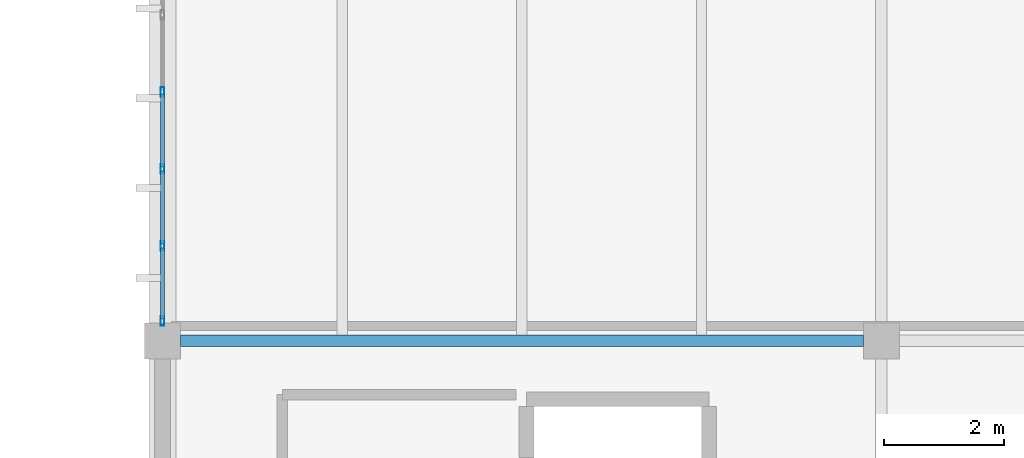
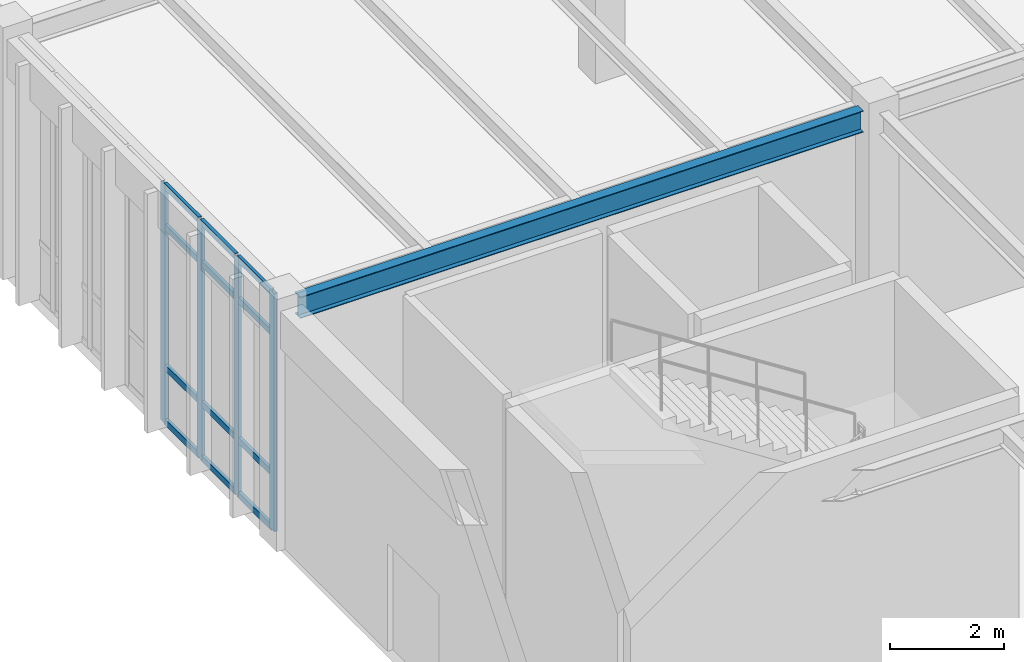
# One storey, part 105 of 188: 16 members, 1 beam, 1 element without a shape of its own.
"""IFC4 building model written with IfcOpenShell, lengths in metres."""

from ifc_helpers import new_model, si_unit, direction, frame, origin, origin_2d, place, context, subcontext, project, spatial, hollow_rectangle, i_section, extrude, material, layer, layer_set, material_profile, profile_set, type_object, element, aggregate, save


model = new_model("IFC4")

# Units and contexts
model_context = context("Model", 3, precision=1e-05, world=origin(), true_north=direction((0.0, 1.0)))
body_context = subcontext(model_context, "Body", "Model", "MODEL_VIEW")
ifc_project = project(units=[si_unit("LENGTHUNIT", "METRE"), si_unit("AREAUNIT", "SQUARE_METRE"), si_unit("VOLUMEUNIT", "CUBIC_METRE"), si_unit("PLANEANGLEUNIT", "RADIAN"), si_unit("MASSUNIT", "GRAM", prefix="KILO")], contexts=[model_context])

# Site, building, storey
site_placement = place(None, origin())
site = spatial("IfcSite", under=ifc_project, at=site_placement, CompositionType="ELEMENT")
building_placement = place(site_placement, origin())
building = spatial("IfcBuilding", under=site, at=building_placement, Name="Pandanus Reach Market Hall", CompositionType="ELEMENT")
storey_placement = place(building_placement, origin())
storey = spatial("IfcBuildingStorey", under=building, at=storey_placement, Name="L00", CompositionType="ELEMENT", Elevation=0.0)

# Beam
ifc_material_1 = material(Name="Steel Grade 350 (350 MPa)", Category="steel")
ifc_material_profile_1 = material_profile(ifc_material_1, i_section(OverallWidth=0.19091796875, OverallDepth=0.4599609375, WebThickness=0.010009765625, FlangeThickness=0.01611328125, at=origin_2d()), Name="460UB82.1", Category="LoadBearing")
ifc_profile_set_1 = profile_set([ifc_material_profile_1], Name="Steel Grade 350 (350 MPa)")
beam_type = type_object("IfcBeamType", Name="BM-UB460H-I", PredefinedType="BEAM", material=ifc_profile_set_1)
beam_placement = place(storey_placement, frame((144.298095703125, 57.60009765625, 4.89453125), z_axis=(1.0, 0.0, 0.0), x_axis=(0.0, 1.0, 0.0)))
element("IfcBeam", 1, at=beam_placement, inside=storey, type_object=beam_type, Name="Framing beam BM-UB460H-I L00.173", PredefinedType="BEAM", context=body_context, shape_type="SweptSolid", body=[
    extrude(i_section(OverallWidth=0.19091796875, OverallDepth=0.4599609375, WebThickness=0.010009765625, FlangeThickness=0.01611328125, at=origin_2d()), origin(), (0.0, 0.0, 1.0), 11.40380859375),
])

# Curtain wall, members
ifc_material_2 = material(Name="Bronze anodised aluminium and low-E glass", Category="aluminium")
ifc_layer = layer(ifc_material_2, 0.159912109375, Name="CW-26")
ifc_layer_set = layer_set([ifc_layer], Name="Bronze anodised aluminium and low-E glass")
curtain_wall_type = type_object("IfcCurtainWallType", Name="CW-26", PredefinedType="NOTDEFINED", material=ifc_layer_set)
curtain_wall_placement = place(storey_placement, origin())
curtain_wall = element("IfcCurtainWall", 2, at=curtain_wall_placement, inside=storey, type_object=curtain_wall_type, Name="Glazed curtain wall CW-26 CW-0079", PredefinedType="NOTDEFINED")
ifc_material_3 = material(Name="Bronze anodised aluminium", Category="aluminium")
ifc_material_profile_2 = material_profile(ifc_material_3, hollow_rectangle(XDim=0.06494140625, YDim=0.159912109375, WallThickness=0.00390625, at=origin_2d()), Name="ALU65x160", Category="LoadBearing")
ifc_profile_set_2 = profile_set([ifc_material_profile_2], Name="Bronze anodised aluminium")
member_type_1 = type_object("IfcMemberType", Name="CW-M1", PredefinedType="MULLION", material=ifc_profile_set_2)
member_1_placement = place(storey_placement, frame((144.0, 57.9326171875, 0.0), z_axis=(0.0, 0.0, 1.0), x_axis=(-1.0, 0.0, 0.0)))
member_1 = element("IfcMember", 3, at=member_1_placement, type_object=member_type_1, Name="CW-26 mullion 1", PredefinedType="MULLION", context=body_context, shape_type="SweptSolid", body=[
    extrude(hollow_rectangle(XDim=0.06494140625, YDim=0.159912109375, WallThickness=0.00390625, at=origin_2d()), origin(), (0.0, 0.0, 1.0), 5.10009765625),
])
member_2_placement = place(storey_placement, frame((144.0, 59.185791015625, 0.0), z_axis=(0.0, 0.0, 1.0), x_axis=(-1.0, 0.0, 0.0)))
member_2 = element("IfcMember", 4, at=member_2_placement, type_object=member_type_1, Name="CW-26 mullion 2", PredefinedType="MULLION", context=body_context, shape_type="SweptSolid", body=[
    extrude(hollow_rectangle(XDim=0.06494140625, YDim=0.159912109375, WallThickness=0.00390625, at=origin_2d()), origin(), (0.0, 0.0, 1.0), 5.10009765625),
])
member_3_placement = place(storey_placement, frame((144.0, 60.471435546875, 0.0), z_axis=(0.0, 0.0, 1.0), x_axis=(-1.0, 0.0, 0.0)))
member_3 = element("IfcMember", 5, at=member_3_placement, type_object=member_type_1, Name="CW-26 mullion 3", PredefinedType="MULLION", context=body_context, shape_type="SweptSolid", body=[
    extrude(hollow_rectangle(XDim=0.06494140625, YDim=0.159912109375, WallThickness=0.00390625, at=origin_2d()), origin(), (0.0, 0.0, 1.0), 5.10009765625),
])
member_4_placement = place(storey_placement, frame((144.0, 61.757080078125, 0.0), z_axis=(0.0, 0.0, 1.0), x_axis=(-1.0, 0.0, 0.0)))
member_4 = element("IfcMember", 6, at=member_4_placement, type_object=member_type_1, Name="CW-26 mullion 4", PredefinedType="MULLION", context=body_context, shape_type="SweptSolid", body=[
    extrude(hollow_rectangle(XDim=0.06494140625, YDim=0.159912109375, WallThickness=0.00390625, at=origin_2d()), origin(), (0.0, 0.0, 1.0), 5.10009765625),
])
ifc_material_profile_3 = material_profile(ifc_material_3, hollow_rectangle(XDim=0.06494140625, YDim=0.1298828125, WallThickness=0.00390625, at=origin_2d()), Name="ALU65x130", Category="LoadBearing")
ifc_profile_set_3 = profile_set([ifc_material_profile_3], Name="Bronze anodised aluminium")
member_type_2 = type_object("IfcMemberType", Name="CW-T1", PredefinedType="USERDEFINED", material=ifc_profile_set_3)
member_5_placement = place(storey_placement, frame((144.0, 57.965087890625, 0.032470703125), z_axis=(0.0, 1.0, 0.0), x_axis=(-1.0, 0.0, 0.0)))
member_5 = element("IfcMember", 7, at=member_5_placement, type_object=member_type_2, Name="CW-26 transom 1.1", ObjectType="TRANSOM", PredefinedType="USERDEFINED", context=body_context, shape_type="SweptSolid", body=[
    extrude(hollow_rectangle(XDim=0.06494140625, YDim=0.1298828125, WallThickness=0.00390625, at=origin_2d()), origin(), (0.0, 0.0, 1.0), 1.188232421875),
])
member_6_placement = place(storey_placement, frame((144.0, 57.965087890625, 1.199951171875), z_axis=(0.0, 1.0, 0.0), x_axis=(-1.0, 0.0, 0.0)))
member_6 = element("IfcMember", 8, at=member_6_placement, type_object=member_type_2, Name="CW-26 transom 1.2", ObjectType="TRANSOM", PredefinedType="USERDEFINED", context=body_context, shape_type="SweptSolid", body=[
    extrude(hollow_rectangle(XDim=0.06494140625, YDim=0.1298828125, WallThickness=0.00390625, at=origin_2d()), origin(), (0.0, 0.0, 1.0), 1.188232421875),
])
member_7_placement = place(storey_placement, frame((144.0, 57.965087890625, 4.199951171875), z_axis=(0.0, 1.0, 0.0), x_axis=(-1.0, 0.0, 0.0)))
member_7 = element("IfcMember", 9, at=member_7_placement, type_object=member_type_2, Name="CW-26 transom 1.3", ObjectType="TRANSOM", PredefinedType="USERDEFINED", context=body_context, shape_type="SweptSolid", body=[
    extrude(hollow_rectangle(XDim=0.06494140625, YDim=0.1298828125, WallThickness=0.00390625, at=origin_2d()), origin(), (0.0, 0.0, 1.0), 1.188232421875),
])
member_8_placement = place(storey_placement, frame((144.0, 57.965087890625, 5.0673828125), z_axis=(0.0, 1.0, 0.0), x_axis=(-1.0, 0.0, 0.0)))
member_8 = element("IfcMember", 10, at=member_8_placement, type_object=member_type_2, Name="CW-26 transom 1.4", ObjectType="TRANSOM", PredefinedType="USERDEFINED", context=body_context, shape_type="SweptSolid", body=[
    extrude(hollow_rectangle(XDim=0.06494140625, YDim=0.1298828125, WallThickness=0.00390625, at=origin_2d()), origin(), (0.0, 0.0, 1.0), 1.188232421875),
])
member_9_placement = place(storey_placement, frame((144.0, 59.21826171875, 0.032470703125), z_axis=(0.0, 1.0, 0.0), x_axis=(-1.0, 0.0, 0.0)))
member_9 = element("IfcMember", 11, at=member_9_placement, type_object=member_type_2, Name="CW-26 transom 2.1", ObjectType="TRANSOM", PredefinedType="USERDEFINED", context=body_context, shape_type="SweptSolid", body=[
    extrude(hollow_rectangle(XDim=0.06494140625, YDim=0.1298828125, WallThickness=0.00390625, at=origin_2d()), origin(), (0.0, 0.0, 1.0), 1.220703125),
])
member_10_placement = place(storey_placement, frame((144.0, 59.21826171875, 1.199951171875), z_axis=(0.0, 1.0, 0.0), x_axis=(-1.0, 0.0, 0.0)))
member_10 = element("IfcMember", 12, at=member_10_placement, type_object=member_type_2, Name="CW-26 transom 2.2", ObjectType="TRANSOM", PredefinedType="USERDEFINED", context=body_context, shape_type="SweptSolid", body=[
    extrude(hollow_rectangle(XDim=0.06494140625, YDim=0.1298828125, WallThickness=0.00390625, at=origin_2d()), origin(), (0.0, 0.0, 1.0), 1.220703125),
])
member_11_placement = place(storey_placement, frame((144.0, 59.21826171875, 4.199951171875), z_axis=(0.0, 1.0, 0.0), x_axis=(-1.0, 0.0, 0.0)))
member_11 = element("IfcMember", 13, at=member_11_placement, type_object=member_type_2, Name="CW-26 transom 2.3", ObjectType="TRANSOM", PredefinedType="USERDEFINED", context=body_context, shape_type="SweptSolid", body=[
    extrude(hollow_rectangle(XDim=0.06494140625, YDim=0.1298828125, WallThickness=0.00390625, at=origin_2d()), origin(), (0.0, 0.0, 1.0), 1.220703125),
])
member_12_placement = place(storey_placement, frame((144.0, 59.21826171875, 5.0673828125), z_axis=(0.0, 1.0, 0.0), x_axis=(-1.0, 0.0, 0.0)))
member_12 = element("IfcMember", 14, at=member_12_placement, type_object=member_type_2, Name="CW-26 transom 2.4", ObjectType="TRANSOM", PredefinedType="USERDEFINED", context=body_context, shape_type="SweptSolid", body=[
    extrude(hollow_rectangle(XDim=0.06494140625, YDim=0.1298828125, WallThickness=0.00390625, at=origin_2d()), origin(), (0.0, 0.0, 1.0), 1.220703125),
])
member_13_placement = place(storey_placement, frame((144.0, 60.50390625, 0.032470703125), z_axis=(0.0, 1.0, 0.0), x_axis=(-1.0, 0.0, 0.0)))
member_13 = element("IfcMember", 15, at=member_13_placement, type_object=member_type_2, Name="CW-26 transom 3.1", ObjectType="TRANSOM", PredefinedType="USERDEFINED", context=body_context, shape_type="SweptSolid", body=[
    extrude(hollow_rectangle(XDim=0.06494140625, YDim=0.1298828125, WallThickness=0.00390625, at=origin_2d()), origin(), (0.0, 0.0, 1.0), 1.220703125),
])
member_14_placement = place(storey_placement, frame((144.0, 60.50390625, 1.199951171875), z_axis=(0.0, 1.0, 0.0), x_axis=(-1.0, 0.0, 0.0)))
member_14 = element("IfcMember", 16, at=member_14_placement, type_object=member_type_2, Name="CW-26 transom 3.2", ObjectType="TRANSOM", PredefinedType="USERDEFINED", context=body_context, shape_type="SweptSolid", body=[
    extrude(hollow_rectangle(XDim=0.06494140625, YDim=0.1298828125, WallThickness=0.00390625, at=origin_2d()), origin(), (0.0, 0.0, 1.0), 1.220703125),
])
member_15_placement = place(storey_placement, frame((144.0, 60.50390625, 4.199951171875), z_axis=(0.0, 1.0, 0.0), x_axis=(-1.0, 0.0, 0.0)))
member_15 = element("IfcMember", 17, at=member_15_placement, type_object=member_type_2, Name="CW-26 transom 3.3", ObjectType="TRANSOM", PredefinedType="USERDEFINED", context=body_context, shape_type="SweptSolid", body=[
    extrude(hollow_rectangle(XDim=0.06494140625, YDim=0.1298828125, WallThickness=0.00390625, at=origin_2d()), origin(), (0.0, 0.0, 1.0), 1.220703125),
])
member_16_placement = place(storey_placement, frame((144.0, 60.50390625, 5.0673828125), z_axis=(0.0, 1.0, 0.0), x_axis=(-1.0, 0.0, 0.0)))
member_16 = element("IfcMember", 18, at=member_16_placement, type_object=member_type_2, Name="CW-26 transom 3.4", ObjectType="TRANSOM", PredefinedType="USERDEFINED", context=body_context, shape_type="SweptSolid", body=[
    extrude(hollow_rectangle(XDim=0.06494140625, YDim=0.1298828125, WallThickness=0.00390625, at=origin_2d()), origin(), (0.0, 0.0, 1.0), 1.220703125),
])
aggregate(curtain_wall, [member_1, member_2, member_3, member_4, member_5, member_6, member_7, member_8, member_9, member_10, member_11, member_12, member_13, member_14, member_15, member_16])

save(model, "model.ifc")
